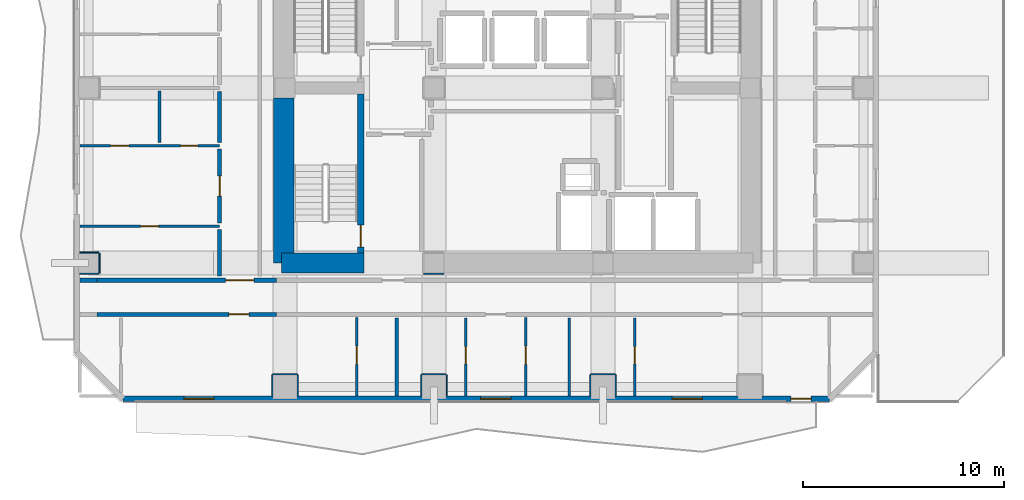
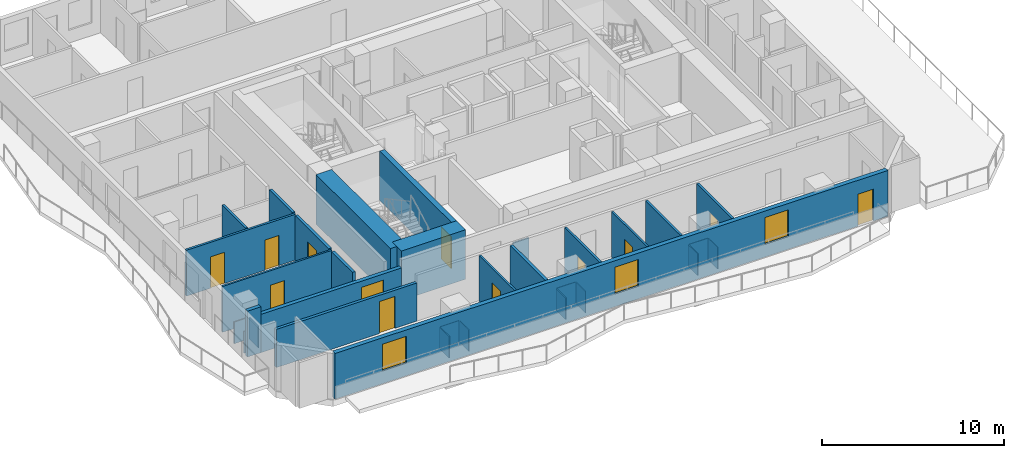
# One storey, part 2 of 11: 32 walls, 12 doors, 3 windows, 15 openings.
"""IFC4 building model written with IfcOpenShell, lengths in metres."""

import ifcopenshell
import ifcopenshell.guid

model = None  # the IFC model being written
_history = None  # IfcOwnerHistory: only IFC2X3 demands one
_inside = {}  # id of a spatial element -> (the spatial element, [elements in it])
_under = {}  # id of a project, library or spatial element -> (it, [spatial elements below it])
_declared = {}  # id of a project -> (the project, [libraries it declares])
_typed = {}  # id of a type object -> (the type object, [elements of that type])
_made_of = {}  # id of a material, layer set ... -> (it, [elements and type objects made of it])


def new_model(schema):
    """Start an empty IFC model of exactly this schema.

    Asked for "IFC4X3", IfcOpenShell would pick the latest addendum, in which some entities
    have other attributes; the version numbers below select the first issue.
    IFC2X3 requires an IfcOwnerHistory on every rooted entity: one is made here for all.
    """
    global model, _history
    if schema == "IFC4X3":
        model = ifcopenshell.file(schema_version=(4, 3, 0, 0))
    else:
        model = ifcopenshell.file(schema=schema)
    _inside.clear()
    _under.clear()
    _declared.clear()
    _typed.clear()
    _made_of.clear()
    _history = None
    if model.schema == "IFC2X3":
        org = make("IfcOrganization", Name="unknown")
        user = make(
            "IfcPersonAndOrganization",
            ThePerson=make("IfcPerson", FamilyName="unknown"),
            TheOrganization=org,
        )
        app = make(
            "IfcApplication",
            ApplicationDeveloper=org,
            Version="unknown",
            ApplicationFullName="unknown",
            ApplicationIdentifier="unknown",
        )
        _history = make(
            "IfcOwnerHistory",
            OwningUser=user,
            OwningApplication=app,
            ChangeAction="ADDED",
            CreationDate=0,
        )
    return model


def make(cls, **values):
    """One entity of the class cls with the attributes given. An attribute that is None is left unset."""
    return model.create_entity(
        cls, **{name: value for name, value in values.items() if value is not None}
    )


def rooted(cls, **values):
    """An entity with a GlobalId (a new one), such as an element, a storey or a relation."""
    return make(cls, GlobalId=ifcopenshell.guid.new(), OwnerHistory=_history, **values)


def si_unit(unit_type, name, prefix=None):
    """IfcSIUnit, for example si_unit("LENGTHUNIT", "METRE", prefix="MILLI")."""
    return make("IfcSIUnit", UnitType=unit_type, Prefix=prefix, Name=name)


def assignment(units):
    """IfcUnitAssignment: the units of a project."""
    return None if units is None else make("IfcUnitAssignment", Units=units)


def point(xyz):
    """IfcCartesianPoint."""
    return None if xyz is None else make("IfcCartesianPoint", Coordinates=xyz)


def direction(xyz):
    """IfcDirection."""
    return None if xyz is None else make("IfcDirection", DirectionRatios=xyz)


def frame(location, z_axis=None, x_axis=None):
    """IfcAxis2Placement3D, a coordinate frame: its origin and axes. An axis left out is left unset."""
    return make(
        "IfcAxis2Placement3D",
        Location=point(location),
        Axis=direction(z_axis),
        RefDirection=direction(x_axis),
    )


def frame_2d(location, x_axis=None):
    """IfcAxis2Placement2D, a coordinate frame in the plane: its origin and x axis."""
    return make(
        "IfcAxis2Placement2D", Location=point(location), RefDirection=direction(x_axis)
    )


def origin():
    """The frame at (0, 0, 0) with its axes left unset."""
    return frame((0.0, 0.0, 0.0))


def place(relative_to, where):
    """IfcLocalPlacement: puts the frame where relative to a parent placement (None: the world)."""
    return make(
        "IfcLocalPlacement", PlacementRelTo=relative_to, RelativePlacement=where
    )


def context(
    kind, dimensions, precision=None, world=None, true_north=None, identifier=None
):
    """IfcGeometricRepresentationContext, for example the 3D "Model" context."""
    return make(
        "IfcGeometricRepresentationContext",
        ContextIdentifier=identifier,
        ContextType=kind,
        CoordinateSpaceDimension=dimensions,
        Precision=precision,
        WorldCoordinateSystem=world,
        TrueNorth=true_north,
    )


def subcontext(parent, identifier, kind, view, scale=None):
    """IfcGeometricRepresentationSubContext, for example "Body" below "Model"."""
    return make(
        "IfcGeometricRepresentationSubContext",
        ContextIdentifier=identifier,
        ContextType=kind,
        ParentContext=parent,
        TargetScale=scale,
        TargetView=view,
    )


def project(units=None, contexts=None):
    """IfcProject with its units and contexts."""
    return rooted(
        "IfcProject",
        Name="project",
        RepresentationContexts=contexts,
        UnitsInContext=assignment(units),
    )


def spatial(cls, under=None, at=None, **own):
    """A site, building, storey or space (cls), placed at a placement, below another one or the project."""
    s = rooted(cls, ObjectPlacement=at, **own)
    if under is not None:
        _under.setdefault(under.id(), (under, []))[1].append(s)
    return s


def profile(cls, at=None, kind="AREA", **sizes):
    """A parametric profile (cls). Its sizes go by their IFC names, for example OverallWidth=200.0."""
    return make(cls, ProfileType=kind, Position=at, **sizes)


def rectangle(**sizes):
    """IfcRectangleProfileDef."""
    return profile("IfcRectangleProfileDef", **sizes)


def extrude(swept, where, along, depth):
    """IfcExtrudedAreaSolid: the profile swept, set in the frame where, extruded along a direction by depth."""
    return make(
        "IfcExtrudedAreaSolid",
        SweptArea=swept,
        Position=where,
        ExtrudedDirection=direction(along),
        Depth=depth,
    )


def shape(context_of_items, identifier, shape_type, items):
    """IfcShapeRepresentation: the items that make up one representation, for example the "Body"."""
    return make(
        "IfcShapeRepresentation",
        ContextOfItems=context_of_items,
        RepresentationIdentifier=identifier,
        RepresentationType=shape_type,
        Items=items,
    )


def material(Name=None, Category=None):
    """IfcMaterial."""
    return make("IfcMaterial", Name=Name, Category=Category)


def layer(
    of_material, thickness, ventilated=None, Name=None, Category=None, Priority=None
):
    """IfcMaterialLayer: one layer of a wall or slab, of a material (None: an air gap)."""
    return make(
        "IfcMaterialLayer",
        Material=of_material,
        LayerThickness=thickness,
        IsVentilated=ventilated,
        Name=Name,
        Category=Category,
        Priority=Priority,
    )


def layer_set(layers, Name=None):
    """IfcMaterialLayerSet."""
    return make("IfcMaterialLayerSet", MaterialLayers=layers, LayerSetName=Name)


def made_of(thing, what):
    """Note that an element or type object is made of a material, layer set ...; save() writes the relation."""
    if what is not None:
        _made_of.setdefault(what.id(), (what, []))[1].append(thing)
    return thing


def type_object(cls, material=None, **own):
    """A type object (cls), such as IfcWallType, which elements share."""
    return made_of(rooted(cls, **own), material)


def element(
    cls,
    number,
    at=None,
    inside=None,
    cuts=None,
    type_object=None,
    material=None,
    context=None,
    identifier="Body",
    shape_type=None,
    held_by="IfcProductDefinitionShape",
    body=None,
    shapes=None,
    **own,
):
    """One element of the class cls, such as IfcWall. Its Tag is "e" and its number.

    at: its placement. inside: the storey or other place that contains it. cuts: it is an
    opening in that element (IfcRelVoidsElement). A single representation is given by context,
    identifier, shape_type and body (its items); several are given by shapes. held_by: the class
    of the entity that holds the representations. save() writes the other relations.
    """
    e = rooted(cls, Tag="e%d" % number, ObjectPlacement=at, **own)
    if body is not None:
        shapes = [shape(context, identifier, shape_type, body)]
    if shapes is not None:
        e.Representation = make(held_by, Representations=shapes)
    if inside is not None:
        _inside.setdefault(inside.id(), (inside, []))[1].append(e)
    if cuts is not None:
        rooted(
            "IfcRelVoidsElement", RelatingBuildingElement=cuts, RelatedOpeningElement=e
        )
    if type_object is not None:
        _typed.setdefault(type_object.id(), (type_object, []))[1].append(e)
    return made_of(e, material)


def fill(opening, filler):
    """IfcRelFillsElement: the door or window that sits in an opening."""
    return rooted(
        "IfcRelFillsElement",
        RelatingOpeningElement=opening,
        RelatedBuildingElement=filler,
    )


def aggregate(whole, parts):
    """IfcRelAggregates: a whole, such as a stair, and the parts it consists of."""
    return rooted("IfcRelAggregates", RelatingObject=whole, RelatedObjects=parts)


def save(model, path):
    """Write the relations noted so far, then the file.

    IfcRelAggregates (storeys below a building ...), IfcRelContainedInSpatialStructure (elements
    in a storey), IfcRelDefinesByType, IfcRelAssociatesMaterial and IfcRelDeclares: one each for
    every whole, place, type object, material and project.
    """
    for whole, parts in _under.values():
        aggregate(whole, parts)
    for where, things in _inside.values():
        rooted(
            "IfcRelContainedInSpatialStructure",
            RelatedElements=things,
            RelatingStructure=where,
        )
    for kind, things in _typed.values():
        rooted("IfcRelDefinesByType", RelatedObjects=things, RelatingType=kind)
    for what, things in _made_of.values():
        rooted("IfcRelAssociatesMaterial", RelatedObjects=things, RelatingMaterial=what)
    for by, libraries in _declared.values():
        rooted("IfcRelDeclares", RelatingContext=by, RelatedDefinitions=libraries)
    model.write(path)


model = new_model("IFC4")

# Units and contexts
model_context = context("Model", 3, precision=1e-05, world=origin(), true_north=direction((0.0, 1.0)))
body_context = subcontext(model_context, "Body", "Model", "MODEL_VIEW")
ifc_project = project(units=[si_unit("LENGTHUNIT", "METRE"), si_unit("AREAUNIT", "SQUARE_METRE"), si_unit("VOLUMEUNIT", "CUBIC_METRE"), si_unit("PLANEANGLEUNIT", "RADIAN"), si_unit("MASSUNIT", "GRAM", prefix="KILO")], contexts=[model_context])

# Site, building, storey
site_placement = place(None, origin())
site = spatial("IfcSite", under=ifc_project, at=site_placement, CompositionType="ELEMENT")
building_placement = place(site_placement, origin())
building = spatial("IfcBuilding", under=site, at=building_placement, Name="Solanera Arch Residences", CompositionType="ELEMENT")
storey_placement = place(building_placement, frame((0.0, 0.0, 165.840087890625)))
storey = spatial("IfcBuildingStorey", under=building, at=storey_placement, Name="L48", CompositionType="ELEMENT", Elevation=165.840087890625)

# Walls
ifc_material_1 = material(Name="Fire-Rated Gypsum Stud Partition", Category="gypsum")
ifc_layer_1 = layer(ifc_material_1, 0.06005859375)
ifc_layer_set_1 = layer_set([ifc_layer_1], Name="Fire-Rated Gypsum Stud Partition")
wall_type_1 = type_object("IfcWallType", Name="Column Acoustic Furring Wall 60", PredefinedType="PARTITIONING", material=ifc_layer_set_1)
wall_1_placement = place(storey_placement, frame((20.300048828125, 21.468017578125, 0.0), z_axis=(0.0, 0.0, 1.0), x_axis=(1.0, 0.0, 0.0)))
element("IfcWall", 1, at=wall_1_placement, inside=storey, type_object=wall_type_1, Name="L48 Column Furring 1S", PredefinedType="PARTITIONING", context=body_context, shape_type="SweptSolid", body=[
    extrude(rectangle(XDim=1.0, YDim=0.06005859375, at=frame_2d((0.5, 0.0))), origin(), (0.0, 0.0, 1.0), 1.449951171875),
])
wall_2_placement = place(storey_placement, frame((12.800048828125, 16.48193359375, 0.0), z_axis=(0.0, 0.0, 1.0), x_axis=(1.0, 0.0, 0.0)))
element("IfcWall", 2, at=wall_2_placement, inside=storey, type_object=wall_type_1, Name="L48 Column Furring 9N", PredefinedType="PARTITIONING", context=body_context, shape_type="SweptSolid", body=[
    extrude(rectangle(XDim=1.199951171875, YDim=0.06005859375, at=frame_2d((0.60009765625, 0.0))), origin(), (0.0, 0.0, 1.0), 1.449951171875),
])
for number, where, z_axis, x_axis, name in (
    (3, (12.76806640625, 15.409912109375, 0.0), (0.0, 0.0, 1.0), (0.0, 1.0, 0.0), "L48 Column Furring 9W"),
    (4, (14.031982421875, 15.409912109375, 0.0), (0.0, 0.0, 1.0), (0.0, 1.0, 0.0), "L48 Column Furring 9E"),
):
    element("IfcWall", number, at=place(storey_placement, frame(where, z_axis=z_axis, x_axis=x_axis)), inside=storey, type_object=wall_type_1, Name=name, PredefinedType="PARTITIONING", context=body_context, shape_type="SweptSolid", body=[
        extrude(rectangle(XDim=1.0400390625, YDim=0.06005859375, at=frame_2d((0.52001953125, 0.0))), origin(), (0.0, 0.0, 1.0), 1.449951171875),
    ])
wall_3_placement = place(storey_placement, frame((20.199951171875, 16.48193359375, 0.0), z_axis=(0.0, 0.0, 1.0), x_axis=(1.0, 0.0, 0.0)))
element("IfcWall", 5, at=wall_3_placement, inside=storey, type_object=wall_type_1, Name="L48 Column Furring 11N", PredefinedType="PARTITIONING", context=body_context, shape_type="SweptSolid", body=[
    extrude(rectangle(XDim=1.199951171875, YDim=0.06005859375, at=frame_2d((0.60009765625, 0.0))), origin(), (0.0, 0.0, 1.0), 1.449951171875),
])
for number, where, z_axis, x_axis, name in (
    (6, (20.16796875, 15.409912109375, 0.0), (0.0, 0.0, 1.0), (0.0, 1.0, 0.0), "L48 Column Furring 11W"),
    (7, (21.431884765625, 15.409912109375, 0.0), (0.0, 0.0, 1.0), (0.0, 1.0, 0.0), "L48 Column Furring 11E"),
):
    element("IfcWall", number, at=place(storey_placement, frame(where, z_axis=z_axis, x_axis=x_axis)), inside=storey, type_object=wall_type_1, Name=name, PredefinedType="PARTITIONING", context=body_context, shape_type="SweptSolid", body=[
        extrude(rectangle(XDim=1.0400390625, YDim=0.06005859375, at=frame_2d((0.52001953125, 0.0))), origin(), (0.0, 0.0, 1.0), 1.449951171875),
    ])
wall_4_placement = place(storey_placement, frame((28.60009765625, 16.48193359375, 0.0), z_axis=(0.0, 0.0, 1.0), x_axis=(1.0, 0.0, 0.0)))
element("IfcWall", 8, at=wall_4_placement, inside=storey, type_object=wall_type_1, Name="L48 Column Furring 13N", PredefinedType="PARTITIONING", context=body_context, shape_type="SweptSolid", body=[
    extrude(rectangle(XDim=1.199951171875, YDim=0.06005859375, at=frame_2d((0.60009765625, 0.0))), origin(), (0.0, 0.0, 1.0), 1.449951171875),
])
for number, where, z_axis, x_axis, name in (
    (9, (28.568115234375, 15.409912109375, 0.0), (0.0, 0.0, 1.0), (0.0, 1.0, 0.0), "L48 Column Furring 13W"),
    (10, (29.83203125, 15.409912109375, 0.0), (0.0, 0.0, 1.0), (0.0, 1.0, 0.0), "L48 Column Furring 13E"),
):
    element("IfcWall", number, at=place(storey_placement, frame(where, z_axis=z_axis, x_axis=x_axis)), inside=storey, type_object=wall_type_1, Name=name, PredefinedType="PARTITIONING", context=body_context, shape_type="SweptSolid", body=[
        extrude(rectangle(XDim=1.0400390625, YDim=0.06005859375, at=frame_2d((0.52001953125, 0.0))), origin(), (0.0, 0.0, 1.0), 1.449951171875),
    ])
for number, where, z_axis, x_axis, name in (
    (11, (3.2099609375, 21.468017578125, 0.0), (0.0, 0.0, 1.0), (1.0, 0.0, 0.0), "L48 Column Furring 17S"),
    (12, (3.2099609375, 22.531982421875, 0.0), (0.0, 0.0, 1.0), (1.0, 0.0, 0.0), "L48 Column Furring 17N"),
):
    element("IfcWall", number, at=place(storey_placement, frame(where, z_axis=z_axis, x_axis=x_axis)), inside=storey, type_object=wall_type_1, Name=name, PredefinedType="PARTITIONING", context=body_context, shape_type="SweptSolid", body=[
        extrude(rectangle(XDim=0.93994140625, YDim=0.06005859375, at=frame_2d((0.469970703125, 0.0))), origin(), (0.0, 0.0, 1.0), 1.449951171875),
    ])
wall_5_placement = place(storey_placement, frame((4.181884765625, 21.5, 0.0), z_axis=(0.0, 0.0, 1.0), x_axis=(0.0, 1.0, 0.0)))
element("IfcWall", 13, at=wall_5_placement, inside=storey, type_object=wall_type_1, Name="L48 Column Furring 17E", PredefinedType="PARTITIONING", context=body_context, shape_type="SweptSolid", body=[
    extrude(rectangle(XDim=1.0, YDim=0.06005859375, at=frame_2d((0.5, 0.0))), origin(), (0.0, 0.0, 1.0), 1.449951171875),
])
ifc_material_2 = material(Name="Concrete C55/67 (f'c = 60 MPa)", Category="concrete")
ifc_layer_2 = layer(ifc_material_2, 1.0)
ifc_layer_set_2 = layer_set([ifc_layer_2], Name="Concrete C55/67 (f'c = 60 MPa)")
wall_type_2 = type_object("IfcWallType", Name="Core Shear Wall CW-1000", PredefinedType="SHEAR", material=ifc_layer_set_2)
wall_6_placement = place(storey_placement, frame((13.340087890625, 22.0, 0.0), z_axis=(0.0, 0.0, 1.0), x_axis=(0.0, 1.0, 0.0)))
element("IfcWall", 14, at=wall_6_placement, inside=storey, type_object=wall_type_2, Name="L48 West Core South Shear Wall", PredefinedType="SHEAR", context=body_context, shape_type="SweptSolid", body=[
    extrude(rectangle(XDim=8.195068359375, YDim=1.0, at=frame_2d((4.09765625, 0.0))), origin(), (0.0, 0.0, 1.0), 3.31982421875),
])
wall_7_placement = place(storey_placement, frame((13.239990234375, 22.0, 0.0), z_axis=(0.0, 0.0, 1.0), x_axis=(1.0, 0.0, 0.0)))
element("IfcWall", 15, at=wall_7_placement, inside=storey, type_object=wall_type_2, Name="L48 South-West Core Shear Wall", PredefinedType="SHEAR", context=body_context, shape_type="SweptSolid", body=[
    extrude(rectangle(XDim=4.080078125, YDim=1.0, at=frame_2d((2.0400390625, 0.0))), origin(), (0.0, 0.0, 1.0), 3.31982421875),
])

# Wall, opening, door
ifc_material_3 = material(Name="Concrete C40/50 (f'c = 45 MPa)", Category="concrete")
ifc_layer_3 = layer(ifc_material_3, 0.320068359375)
ifc_layer_set_3 = layer_set([ifc_layer_3], Name="Concrete C40/50 (f'c = 45 MPa)")
wall_type_3 = type_object("IfcWallType", Name="Core Shear Wall CW-320", PredefinedType="SHEAR", material=ifc_layer_set_3)
wall_8_placement = place(storey_placement, frame((17.159912109375, 22.5, 0.0), z_axis=(0.0, 0.0, 1.0), x_axis=(0.0, 1.0, 0.0)))
wall_8 = element("IfcWall", 16, at=wall_8_placement, inside=storey, type_object=wall_type_3, Name="L48 Stair ST-T3 East Shear Wall", PredefinedType="SHEAR", context=body_context, shape_type="SweptSolid", body=[
    extrude(rectangle(XDim=7.89990234375, YDim=0.320068359375, at=frame_2d((3.949951171875, 0.0))), origin(), (0.0, 0.0, 1.0), 3.31982421875),
])
opening_1_placement = place(wall_8_placement, frame((0.2900390625, 0.0, 0.0)))
opening_1 = element("IfcOpeningElement", 17, at=opening_1_placement, cuts=wall_8, Name="Opening DF-01", PredefinedType="OPENING", context=body_context, shape_type="SweptSolid", body=[
    extrude(rectangle(XDim=1.10009765625, YDim=2.14990234375, at=frame_2d((0.550048828125, 1.074951171875))), frame((0.0, 0.169921875, 0.0), z_axis=(0.0, -1.0, 0.0), x_axis=(1.0, 0.0, 0.0)), (0.0, 0.0, 1.0), 0.3401),
])
ifc_material_4 = material(Name="Fire-Rated Architectural Hardwood", Category="wood")
door_type_1 = type_object("IfcDoorType", Name="Stair Exit Fire Door DF-01", OperationType="NOTDEFINED", PredefinedType="DOOR", material=ifc_material_4)
door_1_placement = place(opening_1_placement, origin())
door_1 = element("IfcDoor", 18, at=door_1_placement, inside=storey, type_object=door_type_1, Name="DR-L48-STAIR-ST-T3", OperationType="SINGLE_SWING_RIGHT", OverallHeight=2.14990234375, OverallWidth=1.10009765625, PredefinedType="DOOR", context=body_context, shape_type="SweptSolid", body=[
    extrude(rectangle(XDim=1.10009765625, YDim=2.14990234375, at=frame_2d((0.550048828125, 1.074951171875))), frame((0.0, 0.02490234375, 0.0), z_axis=(0.0, -1.0, 0.0), x_axis=(1.0, 0.0, 0.0)), (0.0, 0.0, 1.0), 0.050048828125),
])
fill(opening_1, door_1)

ifc_material_5 = material(Name="Autoclaved Aerated Concrete Blockwork", Category="masonry")
ifc_layer_4 = layer(ifc_material_5, 0.179931640625)
ifc_layer_set_4 = layer_set([ifc_layer_4], Name="Autoclaved Aerated Concrete Blockwork")
wall_type_4 = type_object("IfcWallType", Name="Corridor Fire Partition 180", PredefinedType="PARTITIONING", material=ifc_layer_set_4)
wall_9_placement = place(storey_placement, frame((4.06689453125, 19.449951171875, 0.0), z_axis=(0.0, 0.0, 1.0), x_axis=(1.0, 0.0, 0.0)))
wall_9 = element("IfcWall", 19, at=wall_9_placement, inside=storey, type_object=wall_type_4, Name="L48 Interior Partition H6 2", PredefinedType="PARTITIONING", context=body_context, shape_type="SweptSolid", body=[
    extrude(rectangle(XDim=8.916015625, YDim=0.179931640625, at=frame_2d((4.4580078125, 0.0))), origin(), (0.0, 0.0, 1.0), 2.56494140625),
])
opening_2_placement = place(wall_9_placement, frame((6.54296875, 0.0, 0.0)))
opening_2 = element("IfcOpeningElement", 20, at=opening_2_placement, cuts=wall_9, Name="Opening DI-01", PredefinedType="OPENING", context=body_context, shape_type="SweptSolid", body=[
    extrude(rectangle(XDim=1.0, YDim=2.14990234375, at=frame_2d((0.5, 1.074951171875))), frame((0.0, 0.10009765625, 0.0), z_axis=(0.0, -1.0, 0.0), x_axis=(1.0, 0.0, 0.0)), (0.0, 0.0, 1.0), 0.1999),
])
ifc_material_6 = material(Name="Fire-Rated Architectural Hardwood", Category="wood")
door_type_2 = type_object("IfcDoorType", Name="Unit Entrance Fire Door DI-01", OperationType="NOTDEFINED", PredefinedType="DOOR", material=ifc_material_6)
door_2_placement = place(opening_2_placement, origin())
door_2 = element("IfcDoor", 21, at=door_2_placement, inside=storey, type_object=door_type_2, Name="DR-L48-IN-016", OperationType="SINGLE_SWING_LEFT", OverallHeight=2.14990234375, OverallWidth=1.0, PredefinedType="DOOR", context=body_context, shape_type="SweptSolid", body=[
    extrude(rectangle(XDim=1.0, YDim=2.14990234375, at=frame_2d((0.5, 1.074951171875))), frame((0.0, 0.02490234375, 0.0), z_axis=(0.0, -1.0, 0.0), x_axis=(1.0, 0.0, 0.0)), (0.0, 0.0, 1.0), 0.050048828125),
])
fill(opening_2, door_2)

# Wall
wall_10_placement = place(storey_placement, frame((10.14990234375, 21.367919921875, 0.0), z_axis=(0.0, 0.0, 1.0), x_axis=(0.0, 1.0, 0.0)))
element("IfcWall", 22, at=wall_10_placement, inside=storey, type_object=wall_type_4, Name="L48 Interior Partition V8 1", PredefinedType="PARTITIONING", context=body_context, shape_type="SweptSolid", body=[
    extrude(rectangle(XDim=2.298095703125, YDim=0.179931640625, at=frame_2d((1.14892578125, 0.0))), origin(), (0.0, 0.0, 1.0), 3.079833984375),
])

# Wall, opening, door
wall_11_placement = place(storey_placement, frame((10.14990234375, 23.98193359375, 0.0), z_axis=(0.0, 0.0, 1.0), x_axis=(0.0, 1.0, 0.0)))
wall_11 = element("IfcWall", 23, at=wall_11_placement, inside=storey, type_object=wall_type_4, Name="L48 Interior Partition V8 2", PredefinedType="PARTITIONING", context=body_context, shape_type="SweptSolid", body=[
    extrude(rectangle(XDim=3.68505859375, YDim=0.179931640625, at=frame_2d((1.842529296875, 0.0))), origin(), (0.0, 0.0, 1.0), 3.079833984375),
])
opening_3_placement = place(wall_11_placement, frame((1.347900390625, 0.0, 0.0)))
opening_3 = element("IfcOpeningElement", 24, at=opening_3_placement, cuts=wall_11, Name="Opening DI-01", PredefinedType="OPENING", context=body_context, shape_type="SweptSolid", body=[
    extrude(rectangle(XDim=1.0, YDim=2.14990234375, at=frame_2d((0.5, 1.074951171875))), frame((0.0, 0.10009765625, 0.0), z_axis=(0.0, -1.0, 0.0), x_axis=(1.0, 0.0, 0.0)), (0.0, 0.0, 1.0), 0.1999),
])
door_3_placement = place(opening_3_placement, origin())
door_3 = element("IfcDoor", 25, at=door_3_placement, inside=storey, type_object=door_type_2, Name="DR-L48-IN-034", OperationType="SINGLE_SWING_LEFT", OverallHeight=2.14990234375, OverallWidth=1.0, PredefinedType="DOOR", context=body_context, shape_type="SweptSolid", body=[
    extrude(rectangle(XDim=1.0, YDim=2.14990234375, at=frame_2d((0.5, 1.074951171875))), frame((0.0, 0.02490234375, 0.0), z_axis=(0.0, -1.0, 0.0), x_axis=(1.0, 0.0, 0.0)), (0.0, 0.0, 1.0), 0.050048828125),
])
fill(opening_3, door_3)

# Walls
wall_12_placement = place(storey_placement, frame((10.14990234375, 28.0029296875, 0.0), z_axis=(0.0, 0.0, 1.0), x_axis=(0.0, 1.0, 0.0)))
element("IfcWall", 26, at=wall_12_placement, inside=storey, type_object=wall_type_4, Name="L48 Interior Partition V8 3", PredefinedType="PARTITIONING", context=body_context, shape_type="SweptSolid", body=[
    extrude(rectangle(XDim=2.529052734375, YDim=0.179931640625, at=frame_2d((1.2646484375, 0.0))), origin(), (0.0, 0.0, 1.0), 3.079833984375),
])
wall_13_placement = place(storey_placement, frame((18.949951171875, 15.406982421875, 0.0), z_axis=(0.0, 0.0, 1.0), x_axis=(0.0, 1.0, 0.0)))
element("IfcWall", 27, at=wall_13_placement, inside=storey, type_object=wall_type_4, Name="L48 Interior Partition V10", PredefinedType="PARTITIONING", context=body_context, shape_type="SweptSolid", body=[
    extrude(rectangle(XDim=3.85498046875, YDim=0.179931640625, at=frame_2d((1.927490234375, 0.0))), origin(), (0.0, 0.0, 1.0), 3.079833984375),
])

# Wall, openings, door, windows
ifc_material_7 = material(Name="Precast Concrete C35/45", Category="concrete")
ifc_layer_5 = layer(ifc_material_7, 0.280029296875)
ifc_layer_set_5 = layer_set([ifc_layer_5], Name="Precast Concrete C35/45")
wall_type_5 = type_object("IfcWallType", Name="Exterior Wall Precast Masonry-Frame 280", PredefinedType="STANDARD", material=ifc_layer_set_5)
wall_14_placement = place(storey_placement, frame((40.445068359375, 15.2548828125, 0.0), z_axis=(0.0, 0.0, 1.0), x_axis=(-1.0, 0.0, 0.0)))
wall_14 = element("IfcWall", 28, at=wall_14_placement, inside=storey, type_object=wall_type_5, Name="L48 Tower Exterior Precast Masonry-Frame Wall S", PredefinedType="STANDARD", context=body_context, shape_type="SweptSolid", body=[
    extrude(rectangle(XDim=35.090087890625, YDim=0.280029296875, at=frame_2d((17.544921875, 0.0))), origin(), (0.0, 0.0, 1.0), 3.079833984375),
])
opening_4_placement = place(wall_14_placement, frame((0.904052734375, 0.0, 0.0)))
opening_4 = element("IfcOpeningElement", 29, at=opening_4_placement, cuts=wall_14, Name="Opening DB-01", PredefinedType="OPENING", context=body_context, shape_type="SweptSolid", body=[
    extrude(rectangle(XDim=1.0, YDim=2.14990234375, at=frame_2d((0.5, 1.074951171875))), frame((0.0, 0.14990234375, 0.0), z_axis=(0.0, -1.0, 0.0), x_axis=(1.0, 0.0, 0.0)), (0.0, 0.0, 1.0), 0.3),
])
opening_5_placement = place(wall_14_placement, frame((30.572998046875, 0.0, 0.85009765625)))
opening_5 = element("IfcOpeningElement", 30, at=opening_5_placement, cuts=wall_14, Name="Opening W-02", PredefinedType="OPENING", context=body_context, shape_type="SweptSolid", body=[
    extrude(rectangle(XDim=1.5, YDim=1.800048828125, at=frame_2d((0.75, 0.89990234375))), frame((0.0, 0.14990234375, 0.0), z_axis=(0.0, -1.0, 0.0), x_axis=(1.0, 0.0, 0.0)), (0.0, 0.0, 1.0), 0.3),
])
opening_6_placement = place(wall_14_placement, frame((15.820068359375, 0.0, 0.85009765625)))
opening_6 = element("IfcOpeningElement", 31, at=opening_6_placement, cuts=wall_14, Name="Opening W-02", PredefinedType="OPENING", context=body_context, shape_type="SweptSolid", body=[
    extrude(rectangle(XDim=1.5, YDim=1.800048828125, at=frame_2d((0.75, 0.89990234375))), frame((0.0, 0.14990234375, 0.0), z_axis=(0.0, -1.0, 0.0), x_axis=(1.0, 0.0, 0.0)), (0.0, 0.0, 1.0), 0.3),
])
opening_7_placement = place(wall_14_placement, frame((6.304931640625, 0.0, 0.85009765625)))
opening_7 = element("IfcOpeningElement", 32, at=opening_7_placement, cuts=wall_14, Name="Opening W-02", PredefinedType="OPENING", context=body_context, shape_type="SweptSolid", body=[
    extrude(rectangle(XDim=1.5, YDim=1.800048828125, at=frame_2d((0.75, 0.89990234375))), frame((0.0, 0.14990234375, 0.0), z_axis=(0.0, -1.0, 0.0), x_axis=(1.0, 0.0, 0.0)), (0.0, 0.0, 1.0), 0.3),
])
ifc_material_8 = material(Name="Anodised Aluminium Alloy 6063-T6", Category="aluminium")
door_type_3 = type_object("IfcDoorType", Name="Glazed Balcony Swing Door DB-01", OperationType="NOTDEFINED", PredefinedType="DOOR", material=ifc_material_8)
door_4_placement = place(opening_4_placement, origin())
door_4 = element("IfcDoor", 33, at=door_4_placement, inside=storey, type_object=door_type_3, Name="DR-L48-OUT-02", OperationType="SINGLE_SWING_LEFT", OverallHeight=2.14990234375, OverallWidth=1.0, PredefinedType="DOOR", context=body_context, shape_type="SweptSolid", body=[
    extrude(rectangle(XDim=1.0, YDim=2.14990234375, at=frame_2d((0.5, 1.074951171875))), frame((0.0, 0.02490234375, 0.0), z_axis=(0.0, -1.0, 0.0), x_axis=(1.0, 0.0, 0.0)), (0.0, 0.0, 1.0), 0.050048828125),
])
fill(opening_4, door_4)
ifc_material_9 = material(Name="Double Glazed Low-E Laminated Glass", Category="glass")
window_type = type_object("IfcWindowType", Name="Punched Window W-02", PartitioningType="DOUBLE_PANEL_VERTICAL", PredefinedType="WINDOW", material=ifc_material_9)
window_1_placement = place(opening_5_placement, origin())
window_1 = element("IfcWindow", 34, at=window_1_placement, inside=storey, type_object=window_type, Name="L48 4801-LIV Punched Window", OverallHeight=1.800048828125, OverallWidth=1.5, PartitioningType="SINGLE_PANEL", PredefinedType="WINDOW", context=body_context, shape_type="SweptSolid", body=[
    extrude(rectangle(XDim=1.5, YDim=1.800048828125, at=frame_2d((0.75, 0.89990234375))), frame((0.0, 0.030029296875, 0.0), z_axis=(0.0, -1.0, 0.0), x_axis=(1.0, 0.0, 0.0)), (0.0, 0.0, 1.0), 0.06005859375),
])
fill(opening_5, window_1)
window_2_placement = place(opening_6_placement, origin())
window_2 = element("IfcWindow", 35, at=window_2_placement, inside=storey, type_object=window_type, Name="L48 4802-LIV Punched Window", OverallHeight=1.800048828125, OverallWidth=1.5, PartitioningType="SINGLE_PANEL", PredefinedType="WINDOW", context=body_context, shape_type="SweptSolid", body=[
    extrude(rectangle(XDim=1.5, YDim=1.800048828125, at=frame_2d((0.75, 0.89990234375))), frame((0.0, 0.030029296875, 0.0), z_axis=(0.0, -1.0, 0.0), x_axis=(1.0, 0.0, 0.0)), (0.0, 0.0, 1.0), 0.06005859375),
])
fill(opening_6, window_2)
window_3_placement = place(opening_7_placement, origin())
window_3 = element("IfcWindow", 36, at=window_3_placement, inside=storey, type_object=window_type, Name="L48 4803-LIV Punched Window", OverallHeight=1.800048828125, OverallWidth=1.5, PartitioningType="SINGLE_PANEL", PredefinedType="WINDOW", context=body_context, shape_type="SweptSolid", body=[
    extrude(rectangle(XDim=1.5, YDim=1.800048828125, at=frame_2d((0.75, 0.89990234375))), frame((0.0, 0.030029296875, 0.0), z_axis=(0.0, -1.0, 0.0), x_axis=(1.0, 0.0, 0.0)), (0.0, 0.0, 1.0), 0.06005859375),
])
fill(opening_7, window_3)

# Wall
ifc_material_10 = material(Name="Autoclaved Aerated Concrete Blockwork", Category="masonry")
ifc_layer_6 = layer(ifc_material_10, 0.239990234375)
ifc_layer_set_6 = layer_set([ifc_layer_6], Name="Autoclaved Aerated Concrete Blockwork")
wall_type_6 = type_object("IfcWallType", Name="Shaft Wall Fire-Rated 240", PredefinedType="PARTITIONING", material=ifc_layer_set_6)
wall_15_placement = place(storey_placement, frame((3.20703125, 21.14990234375, 0.0), z_axis=(0.0, 0.0, 1.0), x_axis=(1.0, 0.0, 0.0)))
element("IfcWall", 37, at=wall_15_placement, inside=storey, type_object=wall_type_6, Name="L48 Interior Partition H1 1", PredefinedType="PARTITIONING", context=body_context, shape_type="SweptSolid", body=[
    extrude(rectangle(XDim=0.85986328125, YDim=0.239990234375, at=frame_2d((0.429931640625, 0.0))), origin(), (0.0, 0.0, 1.0), 3.079833984375),
])

# Wall, opening, door
wall_16_placement = place(storey_placement, frame((4.06689453125, 21.14990234375, 0.0), z_axis=(0.0, 0.0, 1.0), x_axis=(1.0, 0.0, 0.0)))
wall_16 = element("IfcWall", 38, at=wall_16_placement, inside=storey, type_object=wall_type_6, Name="L48 Interior Partition H1 2", PredefinedType="PARTITIONING", context=body_context, shape_type="SweptSolid", body=[
    extrude(rectangle(XDim=8.916015625, YDim=0.239990234375, at=frame_2d((4.4580078125, 0.0))), origin(), (0.0, 0.0, 1.0), 2.56494140625),
])
opening_8_placement = place(wall_16_placement, frame((6.383056640625, 0.0, 0.0)))
opening_8 = element("IfcOpeningElement", 39, at=opening_8_placement, cuts=wall_16, Name="Opening DF-03", PredefinedType="OPENING", context=body_context, shape_type="SweptSolid", body=[
    extrude(rectangle(XDim=1.39990234375, YDim=2.14990234375, at=frame_2d((0.699951171875, 1.074951171875))), frame((0.0, 0.1298828125, 0.0), z_axis=(0.0, -1.0, 0.0), x_axis=(1.0, 0.0, 0.0)), (0.0, 0.0, 1.0), 0.26),
])
ifc_material_11 = material(Name="Fire-Rated Architectural Hardwood", Category="wood")
door_type_4 = type_object("IfcDoorType", Name="Corridor Smoke Door DF-03", OperationType="NOTDEFINED", PredefinedType="DOOR", material=ifc_material_11)
door_5_placement = place(opening_8_placement, origin())
door_5 = element("IfcDoor", 40, at=door_5_placement, inside=storey, type_object=door_type_4, Name="DR-L48-IN-010", OperationType="SINGLE_SWING_LEFT", OverallHeight=2.14990234375, OverallWidth=1.39990234375, PredefinedType="DOOR", context=body_context, shape_type="SweptSolid", body=[
    extrude(rectangle(XDim=1.39990234375, YDim=2.14990234375, at=frame_2d((0.699951171875, 1.074951171875))), frame((0.0, 0.02490234375, 0.0), z_axis=(0.0, -1.0, 0.0), x_axis=(1.0, 0.0, 0.0)), (0.0, 0.0, 1.0), 0.050048828125),
])
fill(opening_8, door_5)

ifc_material_12 = material(Name="Fire-Rated Gypsum Stud Partition", Category="gypsum")
ifc_layer_7 = layer(ifc_material_12, 0.1201171875)
ifc_layer_set_7 = layer_set([ifc_layer_7], Name="Fire-Rated Gypsum Stud Partition")
wall_type_7 = type_object("IfcWallType", Name="Unit Drywall Partition 120", PredefinedType="PARTITIONING", material=ifc_layer_set_7)
wall_17_placement = place(storey_placement, frame((3.20703125, 23.823974609375, 0.0), z_axis=(0.0, 0.0, 1.0), x_axis=(1.0, 0.0, 0.0)))
wall_17 = element("IfcWall", 41, at=wall_17_placement, inside=storey, type_object=wall_type_7, Name="L48 Interior Partition H25", PredefinedType="PARTITIONING", context=body_context, shape_type="SweptSolid", body=[
    extrude(rectangle(XDim=6.94287109375, YDim=0.1201171875, at=frame_2d((3.471435546875, 0.0))), origin(), (0.0, 0.0, 1.0), 3.079833984375),
])
opening_9_placement = place(wall_17_placement, frame((3.01806640625, 0.0, 0.0)))
opening_9 = element("IfcOpeningElement", 42, at=opening_9_placement, cuts=wall_17, Name="Opening DI-02", PredefinedType="OPENING", context=body_context, shape_type="SweptSolid", body=[
    extrude(rectangle(XDim=0.89990234375, YDim=2.10009765625, at=frame_2d((0.449951171875, 1.050048828125))), frame((0.0, 0.070068359375, 0.0), z_axis=(0.0, -1.0, 0.0), x_axis=(1.0, 0.0, 0.0)), (0.0, 0.0, 1.0), 0.1401),
])
ifc_material_13 = material(Name="Fire-Rated Architectural Hardwood", Category="wood")
door_type_5 = type_object("IfcDoorType", Name="Suite Room Swing Door DI-02", OperationType="NOTDEFINED", PredefinedType="DOOR", material=ifc_material_13)
door_6_placement = place(opening_9_placement, origin())
door_6 = element("IfcDoor", 43, at=door_6_placement, inside=storey, type_object=door_type_5, Name="DR-L48-IN-035", OperationType="SINGLE_SWING_RIGHT", OverallHeight=2.10009765625, OverallWidth=0.89990234375, PredefinedType="DOOR", context=body_context, shape_type="SweptSolid", body=[
    extrude(rectangle(XDim=0.89990234375, YDim=2.10009765625, at=frame_2d((0.449951171875, 1.050048828125))), frame((0.0, 0.02490234375, 0.0), z_axis=(0.0, -1.0, 0.0), x_axis=(1.0, 0.0, 0.0)), (0.0, 0.0, 1.0), 0.050048828125),
])
fill(opening_9, door_6)

wall_18_placement = place(storey_placement, frame((16.969970703125, 15.406982421875, 0.0), z_axis=(0.0, 0.0, 1.0), x_axis=(0.0, 1.0, 0.0)))
wall_18 = element("IfcWall", 44, at=wall_18_placement, inside=storey, type_object=wall_type_7, Name="L48 Interior Partition V26", PredefinedType="PARTITIONING", context=body_context, shape_type="SweptSolid", body=[
    extrude(rectangle(XDim=3.885009765625, YDim=0.1201171875, at=frame_2d((1.9423828125, 0.0))), origin(), (0.0, 0.0, 1.0), 3.079833984375),
])
opening_10_placement = place(wall_18_placement, frame((1.568115234375, 0.0, 0.0)))
opening_10 = element("IfcOpeningElement", 45, at=opening_10_placement, cuts=wall_18, Name="Opening DI-02", PredefinedType="OPENING", context=body_context, shape_type="SweptSolid", body=[
    extrude(rectangle(XDim=0.89990234375, YDim=2.10009765625, at=frame_2d((0.449951171875, 1.050048828125))), frame((0.0, 0.070068359375, 0.0), z_axis=(0.0, -1.0, 0.0), x_axis=(1.0, 0.0, 0.0)), (0.0, 0.0, 1.0), 0.1401),
])
door_7_placement = place(opening_10_placement, origin())
door_7 = element("IfcDoor", 46, at=door_7_placement, inside=storey, type_object=door_type_5, Name="DR-L48-IN-018", OperationType="SINGLE_SWING_LEFT", OverallHeight=2.10009765625, OverallWidth=0.89990234375, PredefinedType="DOOR", context=body_context, shape_type="SweptSolid", body=[
    extrude(rectangle(XDim=0.89990234375, YDim=2.10009765625, at=frame_2d((0.449951171875, 1.050048828125))), frame((0.0, 0.02490234375, 0.0), z_axis=(0.0, -1.0, 0.0), x_axis=(1.0, 0.0, 0.0)), (0.0, 0.0, 1.0), 0.050048828125),
])
fill(opening_10, door_7)

wall_19_placement = place(storey_placement, frame((25.3701171875, 15.406982421875, 0.0), z_axis=(0.0, 0.0, 1.0), x_axis=(0.0, 1.0, 0.0)))
wall_19 = element("IfcWall", 47, at=wall_19_placement, inside=storey, type_object=wall_type_7, Name="L48 Interior Partition V28", PredefinedType="PARTITIONING", context=body_context, shape_type="SweptSolid", body=[
    extrude(rectangle(XDim=3.885009765625, YDim=0.1201171875, at=frame_2d((1.9423828125, 0.0))), origin(), (0.0, 0.0, 1.0), 3.079833984375),
])
opening_11_placement = place(wall_19_placement, frame((1.568115234375, 0.0, 0.0)))
opening_11 = element("IfcOpeningElement", 48, at=opening_11_placement, cuts=wall_19, Name="Opening DI-02", PredefinedType="OPENING", context=body_context, shape_type="SweptSolid", body=[
    extrude(rectangle(XDim=0.89990234375, YDim=2.10009765625, at=frame_2d((0.449951171875, 1.050048828125))), frame((0.0, 0.070068359375, 0.0), z_axis=(0.0, -1.0, 0.0), x_axis=(1.0, 0.0, 0.0)), (0.0, 0.0, 1.0), 0.1401),
])
door_8_placement = place(opening_11_placement, origin())
door_8 = element("IfcDoor", 49, at=door_8_placement, inside=storey, type_object=door_type_5, Name="DR-L48-IN-021", OperationType="SINGLE_SWING_RIGHT", OverallHeight=2.10009765625, OverallWidth=0.89990234375, PredefinedType="DOOR", context=body_context, shape_type="SweptSolid", body=[
    extrude(rectangle(XDim=0.89990234375, YDim=2.10009765625, at=frame_2d((0.449951171875, 1.050048828125))), frame((0.0, 0.02490234375, 0.0), z_axis=(0.0, -1.0, 0.0), x_axis=(1.0, 0.0, 0.0)), (0.0, 0.0, 1.0), 0.050048828125),
])
fill(opening_11, door_8)

# Wall, openings, doors
ifc_material_14 = material(Name="Autoclaved Aerated Concrete Blockwork", Category="masonry")
ifc_layer_8 = layer(ifc_material_14, 0.139892578125)
ifc_layer_set_8 = layer_set([ifc_layer_8], Name="Autoclaved Aerated Concrete Blockwork")
wall_type_8 = type_object("IfcWallType", Name="Wet-Room Partition 140", PredefinedType="PARTITIONING", material=ifc_layer_set_8)
wall_20_placement = place(storey_placement, frame((3.20703125, 27.8349609375, 0.0), z_axis=(0.0, 0.0, 1.0), x_axis=(1.0, 0.0, 0.0)))
wall_20 = element("IfcWall", 50, at=wall_20_placement, inside=storey, type_object=wall_type_8, Name="L48 Interior Partition H14", PredefinedType="PARTITIONING", context=body_context, shape_type="SweptSolid", body=[
    extrude(rectangle(XDim=6.94287109375, YDim=0.139892578125, at=frame_2d((3.471435546875, 0.0))), origin(), (0.0, 0.0, 1.0), 3.079833984375),
])
opening_12_placement = place(wall_20_placement, frame((5.006103515625, 0.0, 0.0)))
opening_12 = element("IfcOpeningElement", 51, at=opening_12_placement, cuts=wall_20, Name="Opening DI-05", PredefinedType="OPENING", context=body_context, shape_type="SweptSolid", body=[
    extrude(rectangle(XDim=0.860107421875, YDim=2.02001953125, at=frame_2d((0.43017578125, 1.010009765625))), frame((0.0, 0.079833984375, 0.0), z_axis=(0.0, -1.0, 0.0), x_axis=(1.0, 0.0, 0.0)), (0.0, 0.0, 1.0), 0.1599),
])
opening_13_placement = place(wall_20_placement, frame((1.537109375, 0.0, 0.0)))
opening_13 = element("IfcOpeningElement", 52, at=opening_13_placement, cuts=wall_20, Name="Opening DI-03", PredefinedType="OPENING", context=body_context, shape_type="SweptSolid", body=[
    extrude(rectangle(XDim=0.89990234375, YDim=2.10009765625, at=frame_2d((0.449951171875, 1.050048828125))), frame((0.0, 0.079833984375, 0.0), z_axis=(0.0, -1.0, 0.0), x_axis=(1.0, 0.0, 0.0)), (0.0, 0.0, 1.0), 0.1599),
])
ifc_material_15 = material(Name="Fire-Rated Architectural Hardwood", Category="wood")
door_type_6 = type_object("IfcDoorType", Name="Bathroom Swing Door DI-05", OperationType="NOTDEFINED", PredefinedType="DOOR", material=ifc_material_15)
door_9_placement = place(opening_12_placement, origin())
door_9 = element("IfcDoor", 53, at=door_9_placement, inside=storey, type_object=door_type_6, Name="DR-L48-IN-036", OperationType="SINGLE_SWING_LEFT", OverallHeight=2.02001953125, OverallWidth=0.860107421875, PredefinedType="DOOR", context=body_context, shape_type="SweptSolid", body=[
    extrude(rectangle(XDim=0.860107421875, YDim=2.02001953125, at=frame_2d((0.43017578125, 1.010009765625))), frame((0.0, 0.02490234375, 0.0), z_axis=(0.0, -1.0, 0.0), x_axis=(1.0, 0.0, 0.0)), (0.0, 0.0, 1.0), 0.050048828125),
])
fill(opening_12, door_9)
ifc_material_16 = material(Name="Fire-Rated Architectural Hardwood", Category="wood")
door_type_7 = type_object("IfcDoorType", Name="Bedroom Swing Door DI-03", OperationType="NOTDEFINED", PredefinedType="DOOR", material=ifc_material_16)
door_10_placement = place(opening_13_placement, origin())
door_10 = element("IfcDoor", 54, at=door_10_placement, inside=storey, type_object=door_type_7, Name="DR-L48-IN-037", OperationType="SINGLE_SWING_RIGHT", OverallHeight=2.10009765625, OverallWidth=0.89990234375, PredefinedType="DOOR", context=body_context, shape_type="SweptSolid", body=[
    extrude(rectangle(XDim=0.89990234375, YDim=2.10009765625, at=frame_2d((0.449951171875, 1.050048828125))), frame((0.0, 0.02490234375, 0.0), z_axis=(0.0, -1.0, 0.0), x_axis=(1.0, 0.0, 0.0)), (0.0, 0.0, 1.0), 0.050048828125),
])
fill(opening_13, door_10)

# Wall
wall_21_placement = place(storey_placement, frame((7.162109375, 27.98291015625, 0.0), z_axis=(0.0, 0.0, 1.0), x_axis=(0.0, 1.0, 0.0)))
element("IfcWall", 55, at=wall_21_placement, inside=storey, type_object=wall_type_8, Name="L48 Interior Partition V17", PredefinedType="PARTITIONING", context=body_context, shape_type="SweptSolid", body=[
    extrude(rectangle(XDim=2.569091796875, YDim=0.139892578125, at=frame_2d((1.28466796875, 0.0))), origin(), (0.0, 0.0, 1.0), 3.079833984375),
])

# Wall, opening, door
wall_22_placement = place(storey_placement, frame((22.3798828125, 15.406982421875, 0.0), z_axis=(0.0, 0.0, 1.0), x_axis=(0.0, 1.0, 0.0)))
wall_22 = element("IfcWall", 56, at=wall_22_placement, inside=storey, type_object=wall_type_8, Name="L48 Interior Partition V20", PredefinedType="PARTITIONING", context=body_context, shape_type="SweptSolid", body=[
    extrude(rectangle(XDim=3.875, YDim=0.139892578125, at=frame_2d((1.9375, 0.0))), origin(), (0.0, 0.0, 1.0), 3.079833984375),
])
opening_14_placement = place(wall_22_placement, frame((1.587890625, 0.0, 0.0)))
opening_14 = element("IfcOpeningElement", 57, at=opening_14_placement, cuts=wall_22, Name="Opening DI-05", PredefinedType="OPENING", context=body_context, shape_type="SweptSolid", body=[
    extrude(rectangle(XDim=0.860107421875, YDim=2.02001953125, at=frame_2d((0.43017578125, 1.010009765625))), frame((0.0, 0.079833984375, 0.0), z_axis=(0.0, -1.0, 0.0), x_axis=(1.0, 0.0, 0.0)), (0.0, 0.0, 1.0), 0.1599),
])
door_11_placement = place(opening_14_placement, origin())
door_11 = element("IfcDoor", 58, at=door_11_placement, inside=storey, type_object=door_type_6, Name="DR-L48-IN-020", OperationType="SINGLE_SWING_LEFT", OverallHeight=2.02001953125, OverallWidth=0.860107421875, PredefinedType="DOOR", context=body_context, shape_type="SweptSolid", body=[
    extrude(rectangle(XDim=0.860107421875, YDim=2.02001953125, at=frame_2d((0.43017578125, 1.010009765625))), frame((0.0, 0.02490234375, 0.0), z_axis=(0.0, -1.0, 0.0), x_axis=(1.0, 0.0, 0.0)), (0.0, 0.0, 1.0), 0.050048828125),
])
fill(opening_14, door_11)

# Wall
wall_23_placement = place(storey_placement, frame((27.52001953125, 15.406982421875, 0.0), z_axis=(0.0, 0.0, 1.0), x_axis=(0.0, 1.0, 0.0)))
element("IfcWall", 59, at=wall_23_placement, inside=storey, type_object=wall_type_8, Name="L48 Interior Partition V21", PredefinedType="PARTITIONING", context=body_context, shape_type="SweptSolid", body=[
    extrude(rectangle(XDim=3.875, YDim=0.139892578125, at=frame_2d((1.9375, 0.0))), origin(), (0.0, 0.0, 1.0), 3.079833984375),
])

# Wall, opening, door
wall_24_placement = place(storey_placement, frame((30.780029296875, 15.406982421875, 0.0), z_axis=(0.0, 0.0, 1.0), x_axis=(0.0, 1.0, 0.0)))
wall_24 = element("IfcWall", 60, at=wall_24_placement, inside=storey, type_object=wall_type_8, Name="L48 Interior Partition V23", PredefinedType="PARTITIONING", context=body_context, shape_type="SweptSolid", body=[
    extrude(rectangle(XDim=3.875, YDim=0.139892578125, at=frame_2d((1.9375, 0.0))), origin(), (0.0, 0.0, 1.0), 3.079833984375),
])
opening_15_placement = place(wall_24_placement, frame((1.587890625, 0.0, 0.0)))
opening_15 = element("IfcOpeningElement", 61, at=opening_15_placement, cuts=wall_24, Name="Opening DI-05", PredefinedType="OPENING", context=body_context, shape_type="SweptSolid", body=[
    extrude(rectangle(XDim=0.860107421875, YDim=2.02001953125, at=frame_2d((0.43017578125, 1.010009765625))), frame((0.0, 0.079833984375, 0.0), z_axis=(0.0, -1.0, 0.0), x_axis=(1.0, 0.0, 0.0)), (0.0, 0.0, 1.0), 0.1599),
])
door_12_placement = place(opening_15_placement, origin())
door_12 = element("IfcDoor", 62, at=door_12_placement, inside=storey, type_object=door_type_6, Name="DR-L48-IN-023", OperationType="SINGLE_SWING_RIGHT", OverallHeight=2.02001953125, OverallWidth=0.860107421875, PredefinedType="DOOR", context=body_context, shape_type="SweptSolid", body=[
    extrude(rectangle(XDim=0.860107421875, YDim=2.02001953125, at=frame_2d((0.43017578125, 1.010009765625))), frame((0.0, 0.02490234375, 0.0), z_axis=(0.0, -1.0, 0.0), x_axis=(1.0, 0.0, 0.0)), (0.0, 0.0, 1.0), 0.050048828125),
])
fill(opening_15, door_12)

save(model, "model.ifc")
